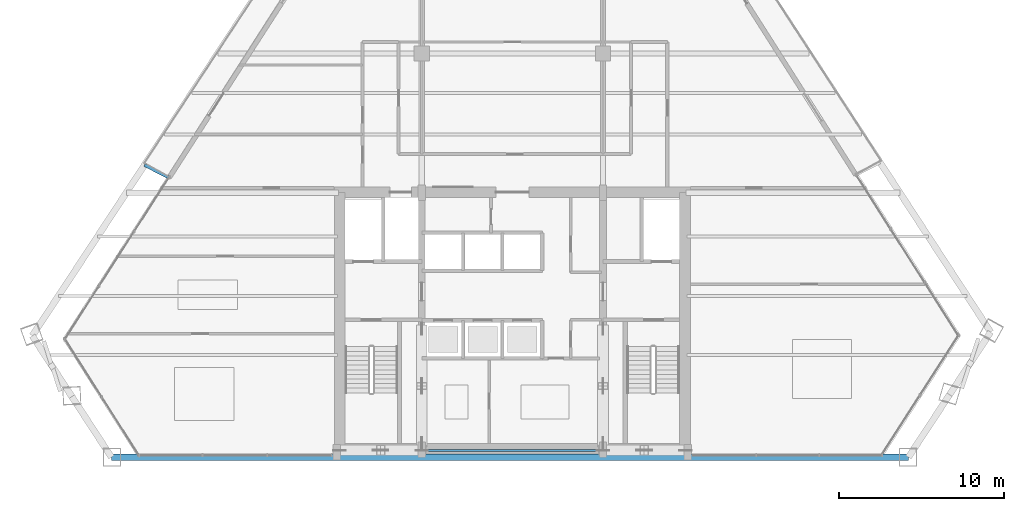
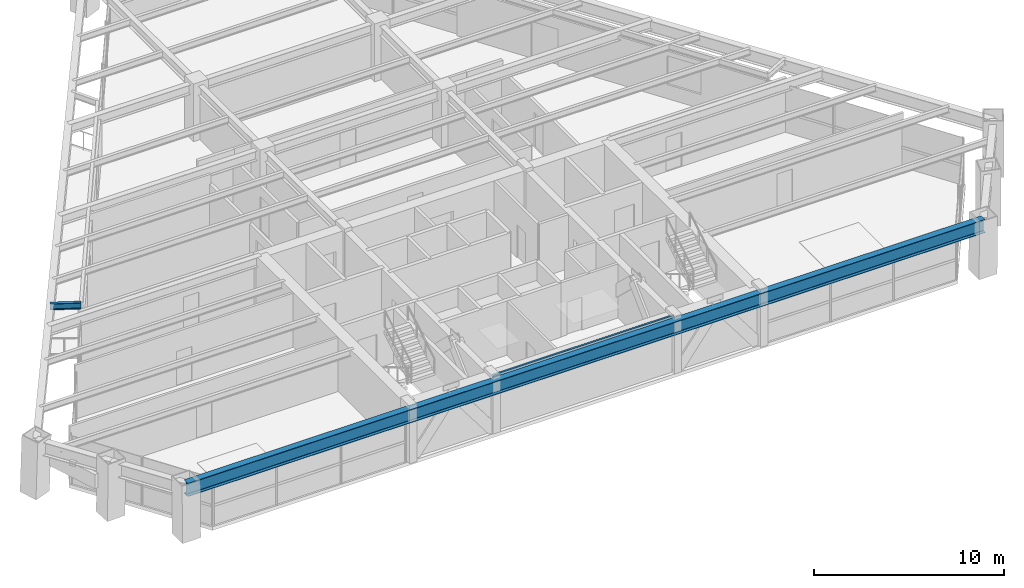
# One storey, part 3 of 16: 3 beams.
"""IFC4 building model written with IfcOpenShell, lengths in metres."""

from ifc_helpers import new_model, si_unit, direction, frame, origin, origin_2d, place, context, subcontext, project, spatial, i_section, extrude, source, transform, mapped, material, material_profile, profile_set, type_object, type_shapes, element, save


model = new_model("IFC4")

# Units and contexts
model_context = context("Model", 3, precision=1e-05, world=origin(), true_north=direction((0.0, 1.0)))
body_context = subcontext(model_context, "Body", "Model", "MODEL_VIEW")
ifc_project = project(units=[si_unit("LENGTHUNIT", "METRE"), si_unit("AREAUNIT", "SQUARE_METRE"), si_unit("VOLUMEUNIT", "CUBIC_METRE"), si_unit("PLANEANGLEUNIT", "RADIAN"), si_unit("MASSUNIT", "GRAM", prefix="KILO")], contexts=[model_context])

# Site, building, storey
site_placement = place(None, origin())
site = spatial("IfcSite", under=ifc_project, at=site_placement, CompositionType="ELEMENT")
building_placement = place(site_placement, origin())
building = spatial("IfcBuilding", under=site, at=building_placement, Name="Varnakhor Terracotta Tower", CompositionType="ELEMENT")
storey_placement = place(building_placement, frame((0.0, 0.0, 151.5)))
storey = spatial("IfcBuildingStorey", under=building, at=storey_placement, Name="L38", CompositionType="ELEMENT", Elevation=151.5)

# Beams
ifc_material = material(Name="Steel S355", Category="steel")
ifc_material_profile_1 = material_profile(ifc_material, i_section(OverallWidth=0.1201171875, OverallDepth=0.239990234375, WebThickness=0.006103515625, FlangeThickness=0.009765625, FilletRadius=0.01806640625, at=origin_2d()), Name="IPE240")
ifc_profile_set_1 = profile_set([ifc_material_profile_1], Name="Steel S355")
beam_type_1 = type_object("IfcBeamType", Name="LNT-IPE240", PredefinedType="LINTEL", material=ifc_profile_set_1)
shared_shape_1 = source(origin(), body_context, "Body", "SweptSolid", [
    extrude(i_section(OverallWidth=0.1201171875, OverallDepth=0.239990234375, WebThickness=0.006103515625, FlangeThickness=0.009765625, FilletRadius=0.01806640625, at=origin_2d()), origin(), (0.0, 0.0, 1.0), 11.0),
])
type_shapes(beam_type_1, [shared_shape_1])
beam_1_placement = place(storey_placement, frame((-5.5, 0.419921875, 3.35009765625), z_axis=(1.0, 0.0, 0.0), x_axis=(0.0, 1.0, 0.0)))
element("IfcBeam", 1, at=beam_1_placement, inside=storey, type_object=beam_type_1, Name="L38 Core South Coupling Lintel", PredefinedType="LINTEL", context=body_context, shape_type="MappedRepresentation", body=[
    mapped(shared_shape_1, transform((0.0, 0.0, 0.0), scale=1.0)),
])
ifc_material_profile_2 = material_profile(ifc_material, i_section(OverallWidth=0.39990234375, OverallDepth=0.85498046875, WebThickness=0.01806640625, FlangeThickness=0.029052734375, FilletRadius=0.01806640625, at=origin_2d()), Name="W33X201")
ifc_profile_set_2 = profile_set([ifc_material_profile_2], Name="Steel S355")
beam_type_2 = type_object("IfcBeamType", Name="BM-W33X201", PredefinedType="BEAM", material=ifc_profile_set_2)
shared_shape_2 = source(origin(), body_context, "Body", "SweptSolid", [
    extrude(i_section(OverallWidth=0.39990234375, OverallDepth=0.85498046875, WebThickness=0.01806640625, FlangeThickness=0.029052734375, FilletRadius=0.01806640625, at=origin_2d()), origin(), (0.0, 0.0, 1.0), 48.369384765625),
])
beam_2_placement = place(storey_placement, frame((-24.333984375, 0.0, 3.04248046875), z_axis=(1.0, 0.0, 0.0), x_axis=(0.0, 1.0, 0.0)))
element("IfcBeam", 2, at=beam_2_placement, inside=storey, type_object=beam_type_2, Name="L38 Perimeter Spandrel 1", PredefinedType="BEAM", context=body_context, shape_type="MappedRepresentation", body=[
    mapped(shared_shape_2, transform((0.0, 0.0, 0.0), scale=1.0)),
])
ifc_material_profile_3 = material_profile(ifc_material, i_section(OverallWidth=0.179931640625, OverallDepth=0.39990234375, WebThickness=0.008544921875, FlangeThickness=0.013427734375, FilletRadius=0.01806640625, at=origin_2d()), Name="IPE400")
ifc_profile_set_3 = profile_set([ifc_material_profile_3], Name="Steel S355")
beam_type_3 = type_object("IfcBeamType", Name="JST-IPE400", PredefinedType="JOIST", material=ifc_profile_set_3)
shared_shape_3 = source(origin(), body_context, "Body", "SweptSolid", [
    extrude(i_section(OverallWidth=0.179931640625, OverallDepth=0.39990234375, WebThickness=0.008544921875, FlangeThickness=0.013427734375, FilletRadius=0.01806640625, at=origin_2d()), origin(), (0.0, 0.0, 1.0), 1.6240234375),
])
beam_3_placement = place(storey_placement, frame((-20.88134765625, 16.99462890625, 3.27001953125), z_axis=(-0.892009108267, 0.45201742308, 0.0), x_axis=(-0.45201742308, -0.892009108267, 0.0)))
element("IfcBeam", 3, at=beam_3_placement, inside=storey, type_object=beam_type_3, Name="L39 W Loggia Tie Beam 1", PredefinedType="JOIST", context=body_context, shape_type="MappedRepresentation", body=[
    mapped(shared_shape_3, transform((0.0, 0.0, 0.0), scale=1.0)),
])

save(model, "model.ifc")
